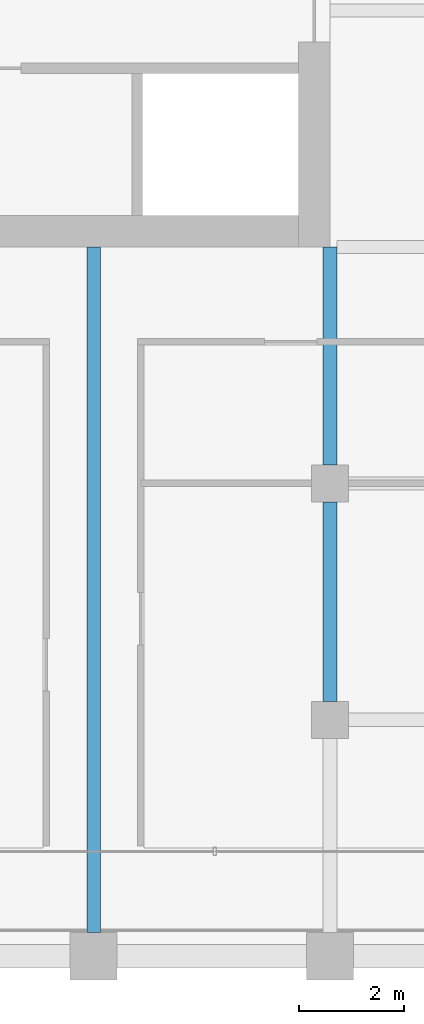
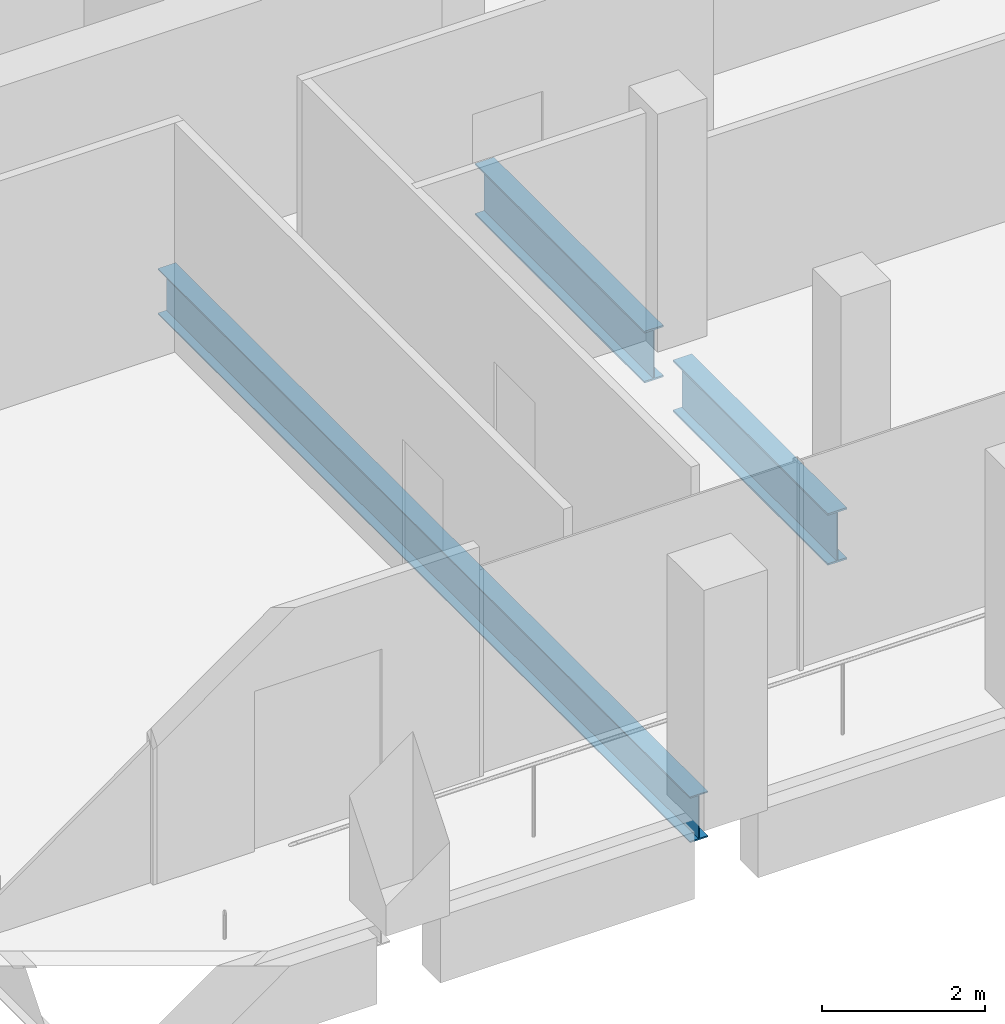
# One storey, part 10 of 40: 3 beams.
"""IFC4 building model written with IfcOpenShell, lengths in metres."""

from ifc_helpers import new_model, si_unit, direction, frame, origin, origin_2d, place, context, subcontext, project, spatial, i_section, extrude, material, material_profile, profile_set, type_object, element, save


model = new_model("IFC4")

# Units and contexts
model_context = context("Model", 3, precision=1e-05, world=origin(), true_north=direction((0.0, 1.0)))
body_context = subcontext(model_context, "Body", "Model", "MODEL_VIEW")
ifc_project = project(units=[si_unit("LENGTHUNIT", "METRE"), si_unit("AREAUNIT", "SQUARE_METRE"), si_unit("VOLUMEUNIT", "CUBIC_METRE"), si_unit("PLANEANGLEUNIT", "RADIAN"), si_unit("MASSUNIT", "GRAM", prefix="KILO")], contexts=[model_context])

# Site, building, storey
site_placement = place(None, origin())
site = spatial("IfcSite", under=ifc_project, at=site_placement, CompositionType="ELEMENT")
building_placement = place(site_placement, origin())
building = spatial("IfcBuilding", under=site, at=building_placement, Name="Altepetl Exchange Towers", CompositionType="ELEMENT")
storey_placement = place(building_placement, frame((0.0, 0.0, 151.0)))
storey = spatial("IfcBuildingStorey", under=building, at=storey_placement, Name="L37", CompositionType="ELEMENT", Elevation=151.0)

# Beams
ifc_material = material(Name="Steel S355", Category="steel")
ifc_material_profile_1 = material_profile(ifc_material, i_section(OverallWidth=0.25390625, OverallDepth=0.68408203125, WebThickness=0.012451171875, FlangeThickness=0.018798828125, at=origin_2d()), Name="W27X94")
ifc_profile_set_1 = profile_set([ifc_material_profile_1], Name="Steel S355")
beam_type_1 = type_object("IfcBeamType", Name="Floor beam W27X94", PredefinedType="BEAM", material=ifc_profile_set_1)
beam_1_placement = place(storey_placement, frame((54.0, 27.449951171875, -0.491943359375), z_axis=(0.0, 1.0, 0.0), x_axis=(-1.0, 0.0, 0.0)))
element("IfcBeam", 1, at=beam_1_placement, inside=storey, type_object=beam_type_1, Name="bm:A:L37:017", PredefinedType="BEAM", context=body_context, shape_type="SweptSolid", body=[
    extrude(i_section(OverallWidth=0.25390625, OverallDepth=0.68408203125, WebThickness=0.012451171875, FlangeThickness=0.018798828125, at=origin_2d()), origin(), (0.0, 0.0, 1.0), 13.050048828125),
])
ifc_material_profile_2 = material_profile(ifc_material, i_section(OverallWidth=0.26806640625, OverallDepth=0.77392578125, WebThickness=0.015380859375, FlangeThickness=0.025390625, at=origin_2d()), Name="W30X132")
ifc_profile_set_2 = profile_set([ifc_material_profile_2], Name="Steel S355")
beam_type_2 = type_object("IfcBeamType", Name="Girder W30X132", PredefinedType="BEAM", material=ifc_profile_set_2)
beam_2_placement = place(storey_placement, frame((58.5, 40.5, -0.537109375), z_axis=(0.0, -1.0, 0.0), x_axis=(1.0, 0.0, 0.0)))
element("IfcBeam", 2, at=beam_2_placement, inside=storey, type_object=beam_type_2, Name="gd:A:L37:003", PredefinedType="BEAM", context=body_context, shape_type="SweptSolid", body=[
    extrude(i_section(OverallWidth=0.26806640625, OverallDepth=0.77392578125, WebThickness=0.015380859375, FlangeThickness=0.025390625, at=origin_2d()), origin(), (0.0, 0.0, 1.0), 4.14990234375),
])
beam_3_placement = place(storey_placement, frame((58.5, 35.64990234375, -0.537109375), z_axis=(0.0, -1.0, 0.0), x_axis=(1.0, 0.0, 0.0)))
element("IfcBeam", 3, at=beam_3_placement, inside=storey, type_object=beam_type_2, Name="gd:A:L37:004", PredefinedType="BEAM", context=body_context, shape_type="SweptSolid", body=[
    extrude(i_section(OverallWidth=0.26806640625, OverallDepth=0.77392578125, WebThickness=0.015380859375, FlangeThickness=0.025390625, at=origin_2d()), origin(), (0.0, 0.0, 1.0), 3.7998046875),
])

save(model, "model.ifc")
